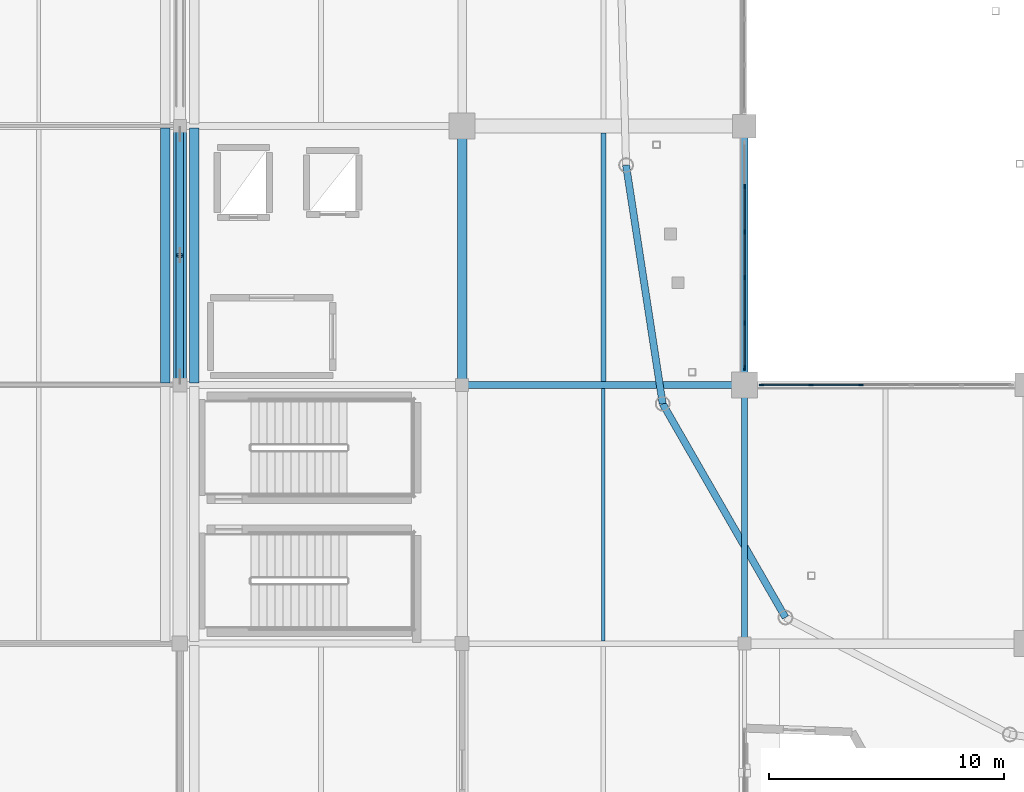
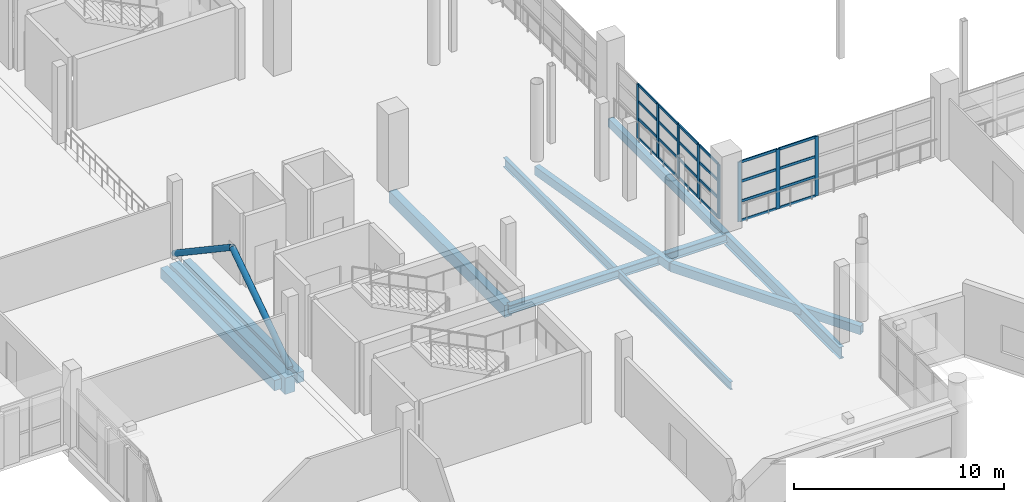
# One storey, part 28 of 118: 34 members, 11 beams, 2 elements without a shape of their own.
"""IFC4 building model written with IfcOpenShell, lengths in metres."""

from ifc_helpers import new_model, si_unit, direction, frame, origin, origin_2d, place, context, subcontext, project, spatial, rectangle, hollow_rectangle, hollow_circle, i_section, extrude, material, material_profile, profile_set, type_object, element, aggregate, save


model = new_model("IFC4")

# Units and contexts
model_context = context("Model", 3, precision=1e-05, world=origin(), true_north=direction((0.0, 1.0)))
body_context = subcontext(model_context, "Body", "Model", "MODEL_VIEW")
ifc_project = project(units=[si_unit("LENGTHUNIT", "METRE"), si_unit("AREAUNIT", "SQUARE_METRE"), si_unit("VOLUMEUNIT", "CUBIC_METRE"), si_unit("PLANEANGLEUNIT", "RADIAN"), si_unit("MASSUNIT", "GRAM", prefix="KILO")], contexts=[model_context])

# Site, building, storey
site_placement = place(None, origin())
site = spatial("IfcSite", under=ifc_project, at=site_placement, CompositionType="ELEMENT")
building_placement = place(site_placement, origin())
building = spatial("IfcBuilding", under=site, at=building_placement, Name="Luwafu Chhajja Arena", CompositionType="ELEMENT")
storey_placement = place(building_placement, frame((0.0, 0.0, 10.199951171875)))
storey = spatial("IfcBuildingStorey", under=building, at=storey_placement, Name="L02", CompositionType="ELEMENT", Elevation=10.199951171875)

# Curtain wall, members
ifc_material_1 = material(Name="Anodised bronze aluminium", Category="aluminium")
curtain_wall_type = type_object("IfcCurtainWallType", Name="Hospitality Ring Curtain Wall", PredefinedType="USERDEFINED", material=ifc_material_1)
curtain_wall_1_placement = place(storey_placement, origin())
curtain_wall_1 = element("IfcCurtainWall", 1, at=curtain_wall_1_placement, inside=storey, type_object=curtain_wall_type, Name="L02 Bowl Viewing Curtain Wall CWR-L02-01", ObjectType="CURTAIN WALL", PredefinedType="USERDEFINED")
ifc_material_profile_1 = material_profile(ifc_material_1, rectangle(XDim=0.06494140625, YDim=0.199951171875, at=origin_2d()), Name="CWM 65x200")
ifc_profile_set_1 = profile_set([ifc_material_profile_1], Name="Anodised bronze aluminium")
member_type_1 = type_object("IfcMemberType", Name="Bronze Curtain Wall Mullion 65x200", PredefinedType="MULLION", material=ifc_profile_set_1)
member_1_placement = place(storey_placement, frame((58.722412109375, 22.0, 0.0), z_axis=(0.0, 0.0, 1.0), x_axis=(0.0, 1.0, 0.0)))
member_1 = element("IfcMember", 2, at=member_1_placement, type_object=member_type_1, Name="CW-02 mullion 1", PredefinedType="MULLION", context=body_context, shape_type="SweptSolid", body=[
    extrude(rectangle(XDim=0.06494140625, YDim=0.199951171875, at=origin_2d()), origin(), (0.0, 0.0, 1.0), 3.469970703125),
])
member_2_placement = place(storey_placement, frame((60.823974609375, 22.0, 0.0), z_axis=(0.0, 0.0, 1.0), x_axis=(0.0, 1.0, 0.0)))
member_2 = element("IfcMember", 3, at=member_2_placement, type_object=member_type_1, Name="CW-02 mullion 2", PredefinedType="MULLION", context=body_context, shape_type="SweptSolid", body=[
    extrude(rectangle(XDim=0.06494140625, YDim=0.199951171875, at=origin_2d()), origin(), (0.0, 0.0, 1.0), 3.469970703125),
])
member_3_placement = place(storey_placement, frame((62.9580078125, 22.0, 0.0), z_axis=(0.0, 0.0, 1.0), x_axis=(0.0, 1.0, 0.0)))
member_3 = element("IfcMember", 4, at=member_3_placement, type_object=member_type_1, Name="CW-02 mullion 3", PredefinedType="MULLION", context=body_context, shape_type="SweptSolid", body=[
    extrude(rectangle(XDim=0.06494140625, YDim=0.199951171875, at=origin_2d()), origin(), (0.0, 0.0, 1.0), 3.469970703125),
])

curtain_wall_2_placement = place(storey_placement, origin())
curtain_wall_2 = element("IfcCurtainWall", 5, at=curtain_wall_2_placement, inside=storey, type_object=curtain_wall_type, Name="L02 Bowl Viewing Curtain Wall CWR-L02-15", ObjectType="CURTAIN WALL", PredefinedType="USERDEFINED")
member_4_placement = place(storey_placement, frame((58.0, 22.722412109375, 0.0), z_axis=(0.0, 0.0, 1.0), x_axis=(-1.0, 0.0, 0.0)))
member_4 = element("IfcMember", 6, at=member_4_placement, type_object=member_type_1, Name="CW-02 mullion 1", PredefinedType="MULLION", context=body_context, shape_type="SweptSolid", body=[
    extrude(rectangle(XDim=0.06494140625, YDim=0.199951171875, at=origin_2d()), origin(), (0.0, 0.0, 1.0), 3.14013671875),
])
member_5_placement = place(storey_placement, frame((58.0, 24.6240234375, 0.0), z_axis=(0.0, 0.0, 1.0), x_axis=(-1.0, 0.0, 0.0)))
member_5 = element("IfcMember", 7, at=member_5_placement, type_object=member_type_1, Name="CW-02 mullion 2", PredefinedType="MULLION", context=body_context, shape_type="SweptSolid", body=[
    extrude(rectangle(XDim=0.06494140625, YDim=0.199951171875, at=origin_2d()), origin(), (0.0, 0.0, 1.0), 3.14013671875),
])
member_6_placement = place(storey_placement, frame((58.0, 26.55810546875, 0.0), z_axis=(0.0, 0.0, 1.0), x_axis=(-1.0, 0.0, 0.0)))
member_6 = element("IfcMember", 8, at=member_6_placement, type_object=member_type_1, Name="CW-02 mullion 3", PredefinedType="MULLION", context=body_context, shape_type="SweptSolid", body=[
    extrude(rectangle(XDim=0.06494140625, YDim=0.199951171875, at=origin_2d()), origin(), (0.0, 0.0, 1.0), 3.14013671875),
])
member_7_placement = place(storey_placement, frame((58.0, 28.491943359375, 0.0), z_axis=(0.0, 0.0, 1.0), x_axis=(-1.0, 0.0, 0.0)))
member_7 = element("IfcMember", 9, at=member_7_placement, type_object=member_type_1, Name="CW-02 mullion 4", PredefinedType="MULLION", context=body_context, shape_type="SweptSolid", body=[
    extrude(rectangle(XDim=0.06494140625, YDim=0.199951171875, at=origin_2d()), origin(), (0.0, 0.0, 1.0), 3.14013671875),
])
member_8_placement = place(storey_placement, frame((58.0, 30.426025390625, 0.0), z_axis=(0.0, 0.0, 1.0), x_axis=(-1.0, 0.0, 0.0)))
member_8 = element("IfcMember", 10, at=member_8_placement, type_object=member_type_1, Name="CW-02 mullion 5", PredefinedType="MULLION", context=body_context, shape_type="SweptSolid", body=[
    extrude(rectangle(XDim=0.06494140625, YDim=0.199951171875, at=origin_2d()), origin(), (0.0, 0.0, 1.0), 3.14013671875),
])

# Member
ifc_material_profile_2 = material_profile(ifc_material_1, rectangle(XDim=0.06494140625, YDim=0.14990234375, at=origin_2d()), Name="CWT 65x150")
ifc_profile_set_2 = profile_set([ifc_material_profile_2], Name="Anodised bronze aluminium")
member_type_2 = type_object("IfcMemberType", Name="Bronze Curtain Wall Transom 65x150", PredefinedType="USERDEFINED", material=ifc_profile_set_2)
member_9_placement = place(storey_placement, frame((58.7548828125, 22.0, 0.032470703125), z_axis=(1.0, 0.0, 0.0), x_axis=(0.0, 1.0, 0.0)))
member_9 = element("IfcMember", 11, at=member_9_placement, type_object=member_type_2, Name="CW-02 transom 1.1", ObjectType="TRANSOM", PredefinedType="USERDEFINED", context=body_context, shape_type="SweptSolid", body=[
    extrude(rectangle(XDim=0.06494140625, YDim=0.14990234375, at=origin_2d()), origin(), (0.0, 0.0, 1.0), 2.03662109375),
])

member_10_placement = place(storey_placement, frame((58.7548828125, 22.0, 1.150146484375), z_axis=(1.0, 0.0, 0.0), x_axis=(0.0, 1.0, 0.0)))
member_10 = element("IfcMember", 12, at=member_10_placement, type_object=member_type_2, Name="CW-02 transom 1.2", ObjectType="TRANSOM", PredefinedType="USERDEFINED", context=body_context, shape_type="SweptSolid", body=[
    extrude(rectangle(XDim=0.06494140625, YDim=0.14990234375, at=origin_2d()), origin(), (0.0, 0.0, 1.0), 2.03662109375),
])

member_11_placement = place(storey_placement, frame((58.7548828125, 22.0, 2.31005859375), z_axis=(1.0, 0.0, 0.0), x_axis=(0.0, 1.0, 0.0)))
member_11 = element("IfcMember", 13, at=member_11_placement, type_object=member_type_2, Name="CW-02 transom 1.3", ObjectType="TRANSOM", PredefinedType="USERDEFINED", context=body_context, shape_type="SweptSolid", body=[
    extrude(rectangle(XDim=0.06494140625, YDim=0.14990234375, at=origin_2d()), origin(), (0.0, 0.0, 1.0), 2.03662109375),
])

member_12_placement = place(storey_placement, frame((58.7548828125, 22.0, 3.437255859375), z_axis=(1.0, 0.0, 0.0), x_axis=(0.0, 1.0, 0.0)))
member_12 = element("IfcMember", 14, at=member_12_placement, type_object=member_type_2, Name="CW-02 transom 1.4", ObjectType="TRANSOM", PredefinedType="USERDEFINED", context=body_context, shape_type="SweptSolid", body=[
    extrude(rectangle(XDim=0.06494140625, YDim=0.14990234375, at=origin_2d()), origin(), (0.0, 0.0, 1.0), 2.03662109375),
])

member_13_placement = place(storey_placement, frame((60.8564453125, 22.0, 0.032470703125), z_axis=(1.0, 0.0, 0.0), x_axis=(0.0, 1.0, 0.0)))
member_13 = element("IfcMember", 15, at=member_13_placement, type_object=member_type_2, Name="CW-02 transom 2.1", ObjectType="TRANSOM", PredefinedType="USERDEFINED", context=body_context, shape_type="SweptSolid", body=[
    extrude(rectangle(XDim=0.06494140625, YDim=0.14990234375, at=origin_2d()), origin(), (0.0, 0.0, 1.0), 2.069091796875),
])

member_14_placement = place(storey_placement, frame((60.8564453125, 22.0, 1.150146484375), z_axis=(1.0, 0.0, 0.0), x_axis=(0.0, 1.0, 0.0)))
member_14 = element("IfcMember", 16, at=member_14_placement, type_object=member_type_2, Name="CW-02 transom 2.2", ObjectType="TRANSOM", PredefinedType="USERDEFINED", context=body_context, shape_type="SweptSolid", body=[
    extrude(rectangle(XDim=0.06494140625, YDim=0.14990234375, at=origin_2d()), origin(), (0.0, 0.0, 1.0), 2.069091796875),
])

member_15_placement = place(storey_placement, frame((60.8564453125, 22.0, 2.31005859375), z_axis=(1.0, 0.0, 0.0), x_axis=(0.0, 1.0, 0.0)))
member_15 = element("IfcMember", 17, at=member_15_placement, type_object=member_type_2, Name="CW-02 transom 2.3", ObjectType="TRANSOM", PredefinedType="USERDEFINED", context=body_context, shape_type="SweptSolid", body=[
    extrude(rectangle(XDim=0.06494140625, YDim=0.14990234375, at=origin_2d()), origin(), (0.0, 0.0, 1.0), 2.069091796875),
])

member_16_placement = place(storey_placement, frame((60.8564453125, 22.0, 3.437255859375), z_axis=(1.0, 0.0, 0.0), x_axis=(0.0, 1.0, 0.0)))
member_16 = element("IfcMember", 18, at=member_16_placement, type_object=member_type_2, Name="CW-02 transom 2.4", ObjectType="TRANSOM", PredefinedType="USERDEFINED", context=body_context, shape_type="SweptSolid", body=[
    extrude(rectangle(XDim=0.06494140625, YDim=0.14990234375, at=origin_2d()), origin(), (0.0, 0.0, 1.0), 2.069091796875),
])

aggregate(curtain_wall_1, [member_1, member_2, member_3, member_9, member_10, member_11, member_12, member_13, member_14, member_15, member_16])

member_17_placement = place(storey_placement, frame((58.0, 22.7548828125, 0.032470703125), z_axis=(0.0, 1.0, 0.0), x_axis=(-1.0, 0.0, 0.0)))
member_17 = element("IfcMember", 19, at=member_17_placement, type_object=member_type_2, Name="CW-02 transom 1.1", ObjectType="TRANSOM", PredefinedType="USERDEFINED", context=body_context, shape_type="SweptSolid", body=[
    extrude(rectangle(XDim=0.06494140625, YDim=0.14990234375, at=origin_2d()), origin(), (0.0, 0.0, 1.0), 1.836669921875),
])

member_18_placement = place(storey_placement, frame((58.0, 22.7548828125, 1.150146484375), z_axis=(0.0, 1.0, 0.0), x_axis=(-1.0, 0.0, 0.0)))
member_18 = element("IfcMember", 20, at=member_18_placement, type_object=member_type_2, Name="CW-02 transom 1.2", ObjectType="TRANSOM", PredefinedType="USERDEFINED", context=body_context, shape_type="SweptSolid", body=[
    extrude(rectangle(XDim=0.06494140625, YDim=0.14990234375, at=origin_2d()), origin(), (0.0, 0.0, 1.0), 1.836669921875),
])

member_19_placement = place(storey_placement, frame((58.0, 22.7548828125, 2.14501953125), z_axis=(0.0, 1.0, 0.0), x_axis=(-1.0, 0.0, 0.0)))
member_19 = element("IfcMember", 21, at=member_19_placement, type_object=member_type_2, Name="CW-02 transom 1.3", ObjectType="TRANSOM", PredefinedType="USERDEFINED", context=body_context, shape_type="SweptSolid", body=[
    extrude(rectangle(XDim=0.06494140625, YDim=0.14990234375, at=origin_2d()), origin(), (0.0, 0.0, 1.0), 1.836669921875),
])

member_20_placement = place(storey_placement, frame((58.0, 22.7548828125, 3.107666015625), z_axis=(0.0, 1.0, 0.0), x_axis=(-1.0, 0.0, 0.0)))
member_20 = element("IfcMember", 22, at=member_20_placement, type_object=member_type_2, Name="CW-02 transom 1.4", ObjectType="TRANSOM", PredefinedType="USERDEFINED", context=body_context, shape_type="SweptSolid", body=[
    extrude(rectangle(XDim=0.06494140625, YDim=0.14990234375, at=origin_2d()), origin(), (0.0, 0.0, 1.0), 1.836669921875),
])

member_21_placement = place(storey_placement, frame((58.0, 24.656494140625, 0.032470703125), z_axis=(0.0, 1.0, 0.0), x_axis=(-1.0, 0.0, 0.0)))
member_21 = element("IfcMember", 23, at=member_21_placement, type_object=member_type_2, Name="CW-02 transom 2.1", ObjectType="TRANSOM", PredefinedType="USERDEFINED", context=body_context, shape_type="SweptSolid", body=[
    extrude(rectangle(XDim=0.06494140625, YDim=0.14990234375, at=origin_2d()), origin(), (0.0, 0.0, 1.0), 1.868896484375),
])

member_22_placement = place(storey_placement, frame((58.0, 24.656494140625, 1.150146484375), z_axis=(0.0, 1.0, 0.0), x_axis=(-1.0, 0.0, 0.0)))
member_22 = element("IfcMember", 24, at=member_22_placement, type_object=member_type_2, Name="CW-02 transom 2.2", ObjectType="TRANSOM", PredefinedType="USERDEFINED", context=body_context, shape_type="SweptSolid", body=[
    extrude(rectangle(XDim=0.06494140625, YDim=0.14990234375, at=origin_2d()), origin(), (0.0, 0.0, 1.0), 1.868896484375),
])

member_23_placement = place(storey_placement, frame((58.0, 24.656494140625, 2.14501953125), z_axis=(0.0, 1.0, 0.0), x_axis=(-1.0, 0.0, 0.0)))
member_23 = element("IfcMember", 25, at=member_23_placement, type_object=member_type_2, Name="CW-02 transom 2.3", ObjectType="TRANSOM", PredefinedType="USERDEFINED", context=body_context, shape_type="SweptSolid", body=[
    extrude(rectangle(XDim=0.06494140625, YDim=0.14990234375, at=origin_2d()), origin(), (0.0, 0.0, 1.0), 1.868896484375),
])

member_24_placement = place(storey_placement, frame((58.0, 24.656494140625, 3.107666015625), z_axis=(0.0, 1.0, 0.0), x_axis=(-1.0, 0.0, 0.0)))
member_24 = element("IfcMember", 26, at=member_24_placement, type_object=member_type_2, Name="CW-02 transom 2.4", ObjectType="TRANSOM", PredefinedType="USERDEFINED", context=body_context, shape_type="SweptSolid", body=[
    extrude(rectangle(XDim=0.06494140625, YDim=0.14990234375, at=origin_2d()), origin(), (0.0, 0.0, 1.0), 1.868896484375),
])

member_25_placement = place(storey_placement, frame((58.0, 26.590576171875, 0.032470703125), z_axis=(0.0, 1.0, 0.0), x_axis=(-1.0, 0.0, 0.0)))
member_25 = element("IfcMember", 27, at=member_25_placement, type_object=member_type_2, Name="CW-02 transom 3.1", ObjectType="TRANSOM", PredefinedType="USERDEFINED", context=body_context, shape_type="SweptSolid", body=[
    extrude(rectangle(XDim=0.06494140625, YDim=0.14990234375, at=origin_2d()), origin(), (0.0, 0.0, 1.0), 1.868896484375),
])

member_26_placement = place(storey_placement, frame((58.0, 26.590576171875, 1.150146484375), z_axis=(0.0, 1.0, 0.0), x_axis=(-1.0, 0.0, 0.0)))
member_26 = element("IfcMember", 28, at=member_26_placement, type_object=member_type_2, Name="CW-02 transom 3.2", ObjectType="TRANSOM", PredefinedType="USERDEFINED", context=body_context, shape_type="SweptSolid", body=[
    extrude(rectangle(XDim=0.06494140625, YDim=0.14990234375, at=origin_2d()), origin(), (0.0, 0.0, 1.0), 1.868896484375),
])

member_27_placement = place(storey_placement, frame((58.0, 26.590576171875, 2.14501953125), z_axis=(0.0, 1.0, 0.0), x_axis=(-1.0, 0.0, 0.0)))
member_27 = element("IfcMember", 29, at=member_27_placement, type_object=member_type_2, Name="CW-02 transom 3.3", ObjectType="TRANSOM", PredefinedType="USERDEFINED", context=body_context, shape_type="SweptSolid", body=[
    extrude(rectangle(XDim=0.06494140625, YDim=0.14990234375, at=origin_2d()), origin(), (0.0, 0.0, 1.0), 1.868896484375),
])

member_28_placement = place(storey_placement, frame((58.0, 26.590576171875, 3.107666015625), z_axis=(0.0, 1.0, 0.0), x_axis=(-1.0, 0.0, 0.0)))
member_28 = element("IfcMember", 30, at=member_28_placement, type_object=member_type_2, Name="CW-02 transom 3.4", ObjectType="TRANSOM", PredefinedType="USERDEFINED", context=body_context, shape_type="SweptSolid", body=[
    extrude(rectangle(XDim=0.06494140625, YDim=0.14990234375, at=origin_2d()), origin(), (0.0, 0.0, 1.0), 1.868896484375),
])

member_29_placement = place(storey_placement, frame((58.0, 28.5244140625, 0.032470703125), z_axis=(0.0, 1.0, 0.0), x_axis=(-1.0, 0.0, 0.0)))
member_29 = element("IfcMember", 31, at=member_29_placement, type_object=member_type_2, Name="CW-02 transom 4.1", ObjectType="TRANSOM", PredefinedType="USERDEFINED", context=body_context, shape_type="SweptSolid", body=[
    extrude(rectangle(XDim=0.06494140625, YDim=0.14990234375, at=origin_2d()), origin(), (0.0, 0.0, 1.0), 1.869140625),
])

member_30_placement = place(storey_placement, frame((58.0, 28.5244140625, 1.150146484375), z_axis=(0.0, 1.0, 0.0), x_axis=(-1.0, 0.0, 0.0)))
member_30 = element("IfcMember", 32, at=member_30_placement, type_object=member_type_2, Name="CW-02 transom 4.2", ObjectType="TRANSOM", PredefinedType="USERDEFINED", context=body_context, shape_type="SweptSolid", body=[
    extrude(rectangle(XDim=0.06494140625, YDim=0.14990234375, at=origin_2d()), origin(), (0.0, 0.0, 1.0), 1.869140625),
])

member_31_placement = place(storey_placement, frame((58.0, 28.5244140625, 2.14501953125), z_axis=(0.0, 1.0, 0.0), x_axis=(-1.0, 0.0, 0.0)))
member_31 = element("IfcMember", 33, at=member_31_placement, type_object=member_type_2, Name="CW-02 transom 4.3", ObjectType="TRANSOM", PredefinedType="USERDEFINED", context=body_context, shape_type="SweptSolid", body=[
    extrude(rectangle(XDim=0.06494140625, YDim=0.14990234375, at=origin_2d()), origin(), (0.0, 0.0, 1.0), 1.869140625),
])

member_32_placement = place(storey_placement, frame((58.0, 28.5244140625, 3.107666015625), z_axis=(0.0, 1.0, 0.0), x_axis=(-1.0, 0.0, 0.0)))
member_32 = element("IfcMember", 34, at=member_32_placement, type_object=member_type_2, Name="CW-02 transom 4.4", ObjectType="TRANSOM", PredefinedType="USERDEFINED", context=body_context, shape_type="SweptSolid", body=[
    extrude(rectangle(XDim=0.06494140625, YDim=0.14990234375, at=origin_2d()), origin(), (0.0, 0.0, 1.0), 1.869140625),
])

aggregate(curtain_wall_2, [member_4, member_5, member_6, member_7, member_8, member_17, member_18, member_19, member_20, member_21, member_22, member_23, member_24, member_25, member_26, member_27, member_28, member_29, member_30, member_31, member_32])

# Beam
ifc_material_2 = material(Name="Concrete C35/45", Category="concrete")
ifc_material_profile_3 = material_profile(ifc_material_2, rectangle(XDim=0.550048828125, YDim=0.949951171875, at=origin_2d()), Name="RC 550x950")
ifc_profile_set_3 = profile_set([ifc_material_profile_3], Name="Concrete C35/45")
beam_type_1 = type_object("IfcBeamType", Name="Concourse Radial Girder RC 550x950", PredefinedType="BEAM", material=ifc_profile_set_3)
beam_1_placement = place(storey_placement, frame((34.0, 22.0, -0.864990234375), z_axis=(0.0, 1.0, 0.0), x_axis=(-1.0, 0.0, 0.0)))
element("IfcBeam", 35, at=beam_1_placement, inside=storey, type_object=beam_type_1, Name="L02 Grid Beam 4/C-D", PredefinedType="BEAM", context=body_context, shape_type="SweptSolid", body=[
    extrude(rectangle(XDim=0.550048828125, YDim=0.949951171875, at=origin_2d()), origin(), (0.0, 0.0, 1.0), 11.0),
])

# Members
ifc_material_3 = material(Name="Steel S355", Category="steel")
ifc_material_profile_4 = material_profile(ifc_material_3, hollow_circle(Radius=0.161865234375, WallThickness=0.012451171875, at=origin_2d()), Name="CHS 323.9x12.5")
ifc_profile_set_4 = profile_set([ifc_material_profile_4], Name="Steel S355")
member_type_3 = type_object("IfcMemberType", Name="Drum Lateral Chevron Brace CHS 324", PredefinedType="BRACE", material=ifc_profile_set_4)
for number, where, z_axis, x_axis, name in (
    (36, (34.0, 22.0, 0.1201171875), (0.0, 0.830424814031, 0.557130710195), (-1.0, 0.0, 0.0), "L02 Lateral Chevron Brace 04A"),
    (37, (34.0, 33.0, 0.1201171875), (0.0, -0.830424814031, 0.557130710195), (1.0, 0.0, 0.0), "L02 Lateral Chevron Brace 04B"),
):
    element("IfcMember", number, at=place(storey_placement, frame(where, z_axis=z_axis, x_axis=x_axis)), inside=storey, type_object=member_type_3, Name=name, PredefinedType="BRACE", context=body_context, shape_type="SweptSolid", body=[
        extrude(hollow_circle(Radius=0.161865234375, WallThickness=0.012451171875, at=origin_2d()), origin(), (0.0, 0.0, 1.0), 6.623046875),
    ])

# Beams
ifc_material_profile_5 = material_profile(ifc_material_3, i_section(OverallWidth=0.15283203125, OverallDepth=0.45458984375, WebThickness=0.008056640625, FlangeThickness=0.01318359375, at=origin_2d()), Name="UB 457x152x60")
ifc_profile_set_5 = profile_set([ifc_material_profile_5], Name="Steel S355")
beam_type_2 = type_object("IfcBeamType", Name="Floor Joist UB 457x152x60", PredefinedType="JOIST", material=ifc_profile_set_5)
beam_2_placement = place(storey_placement, frame((52.0, 11.114501953125, -0.6171875), z_axis=(0.0, 1.0, 0.0), x_axis=(-1.0, 0.0, 0.0)))
element("IfcBeam", 38, at=beam_2_placement, inside=storey, type_object=beam_type_2, Name="L02 Secondary Joist 5-6/B", PredefinedType="JOIST", context=body_context, shape_type="SweptSolid", body=[
    extrude(i_section(OverallWidth=0.15283203125, OverallDepth=0.45458984375, WebThickness=0.008056640625, FlangeThickness=0.01318359375, at=origin_2d()), origin(), (0.0, 0.0, 1.0), 10.735595703125),
])
ifc_material_profile_6 = material_profile(ifc_material_3, i_section(OverallWidth=0.2099609375, OverallDepth=0.53662109375, WebThickness=0.0107421875, FlangeThickness=0.017333984375, at=origin_2d()), Name="UB 533x210x101")
ifc_profile_set_6 = profile_set([ifc_material_profile_6], Name="Steel S355")
beam_type_3 = type_object("IfcBeamType", Name="Floor Joist UB 533x210x101", PredefinedType="JOIST", material=ifc_profile_set_6)
beam_3_placement = place(storey_placement, frame((52.0, 22.14990234375, -0.658203125), z_axis=(0.0, 1.0, 0.0), x_axis=(-1.0, 0.0, 0.0)))
element("IfcBeam", 39, at=beam_3_placement, inside=storey, type_object=beam_type_3, Name="L02 Secondary Joist 5-6/C", PredefinedType="JOIST", context=body_context, shape_type="SweptSolid", body=[
    extrude(i_section(OverallWidth=0.2099609375, OverallDepth=0.53662109375, WebThickness=0.0107421875, FlangeThickness=0.017333984375, at=origin_2d()), origin(), (0.0, 0.0, 1.0), 10.550048828125),
])
ifc_material_profile_7 = material_profile(ifc_material_3, hollow_rectangle(XDim=0.300048828125, YDim=0.5, WallThickness=0.02001953125, at=origin_2d()), Name="RHS 500x300x20")
ifc_profile_set_7 = profile_set([ifc_material_profile_7], Name="Steel S355")
beam_type_4 = type_object("IfcBeamType", Name="Pleated Drum Spandrel Beam RHS 500x300", PredefinedType="SPANDREL", material=ifc_profile_set_7)
beam_4_placement = place(storey_placement, frame((58.0, 22.0, -0.639892578125), z_axis=(0.0, 1.0, 0.0), x_axis=(-1.0, 0.0, 0.0)))
element("IfcBeam", 40, at=beam_4_placement, inside=storey, type_object=beam_type_4, Name="L02 Grid Beam 6/C-D", PredefinedType="SPANDREL", context=body_context, shape_type="SweptSolid", body=[
    extrude(hollow_rectangle(XDim=0.300048828125, YDim=0.5, WallThickness=0.02001953125, at=origin_2d()), origin(), (0.0, 0.0, 1.0), 11.0),
])
beam_5_placement = place(storey_placement, frame((52.968017578125, 31.3388671875, -0.639892578125), z_axis=(0.1515977802, -0.988442265911, 0.0), x_axis=(0.988442265911, 0.1515977802, 0.0)))
element("IfcBeam", 41, at=beam_5_placement, inside=storey, type_object=beam_type_4, Name="L02 Drum Ring Spandrel D19-D20", PredefinedType="SPANDREL", context=body_context, shape_type="SweptSolid", body=[
    extrude(hollow_rectangle(XDim=0.300048828125, YDim=0.5, WallThickness=0.02001953125, at=origin_2d()), origin(), (0.0, 0.0, 1.0), 10.263427734375),
])
beam_6_placement = place(storey_placement, frame((54.52392578125, 21.194091796875, -0.639892578125), z_axis=(0.498192671921, -0.867066353657, 0.0), x_axis=(0.867066353657, 0.498192671921, 0.0)))
element("IfcBeam", 42, at=beam_6_placement, inside=storey, type_object=beam_type_4, Name="L02 Drum Ring Spandrel D20-D21", PredefinedType="SPANDREL", context=body_context, shape_type="SweptSolid", body=[
    extrude(hollow_rectangle(XDim=0.300048828125, YDim=0.5, WallThickness=0.02001953125, at=origin_2d()), origin(), (0.0, 0.0, 1.0), 10.477783203125),
])
ifc_material_profile_8 = material_profile(ifc_material_2, rectangle(XDim=0.39990234375, YDim=0.60009765625, at=origin_2d()), Name="RC 400x600")
ifc_profile_set_8 = profile_set([ifc_material_profile_8], Name="Concrete C35/45")
beam_type_5 = type_object("IfcBeamType", Name="Podium Perimeter Spandrel RC 400x600", PredefinedType="SPANDREL", material=ifc_profile_set_8)
for number, where, z_axis, x_axis, name in (
    (43, (33.3798828125, 22.080078125, -0.68994140625), (0.0, 1.0, 0.0), (-1.0, 0.0, 0.0), "L02 Movement Joint MJ1W Seat Girder 02"),
    (44, (34.6201171875, 22.080078125, -0.68994140625), (0.0, 1.0, 0.0), (-1.0, 0.0, 0.0), "L02 Movement Joint MJ1E Seat Girder 02"),
):
    element("IfcBeam", number, at=place(storey_placement, frame(where, z_axis=z_axis, x_axis=x_axis)), inside=storey, type_object=beam_type_5, Name=name, PredefinedType="SPANDREL", context=body_context, shape_type="SweptSolid", body=[
        extrude(rectangle(XDim=0.39990234375, YDim=0.60009765625, at=origin_2d()), origin(), (0.0, 0.0, 1.0), 10.83984375),
    ])
ifc_material_profile_9 = material_profile(ifc_material_3, i_section(OverallWidth=0.300048828125, OverallDepth=0.5, WebThickness=0.014404296875, FlangeThickness=0.028076171875, at=origin_2d()), Name="HEB 500")
ifc_profile_set_9 = profile_set([ifc_material_profile_9], Name="Steel S355")
beam_type_6 = type_object("IfcBeamType", Name="Steel Atrium Tie Girder HEB 500", PredefinedType="BEAM", material=ifc_profile_set_9)
beam_7_placement = place(storey_placement, frame((46.0, 22.0, -0.639892578125), z_axis=(1.0, 0.0, 0.0), x_axis=(0.0, 1.0, 0.0)))
element("IfcBeam", 45, at=beam_7_placement, inside=storey, type_object=beam_type_6, Name="L02 Grid Beam 5-6/C", PredefinedType="BEAM", context=body_context, shape_type="SweptSolid", body=[
    extrude(i_section(OverallWidth=0.300048828125, OverallDepth=0.5, WebThickness=0.014404296875, FlangeThickness=0.028076171875, at=origin_2d()), origin(), (0.0, 0.0, 1.0), 12.0),
])
ifc_material_profile_10 = material_profile(ifc_material_3, i_section(OverallWidth=0.253662109375, OverallDepth=0.68359375, WebThickness=0.012451171875, FlangeThickness=0.01904296875, at=origin_2d()), Name="UB 686x254x140")
ifc_profile_set_10 = profile_set([ifc_material_profile_10], Name="Steel S355")
beam_type_7 = type_object("IfcBeamType", Name="Steel Concourse Girder UB 686x254x140", PredefinedType="BEAM", material=ifc_profile_set_10)
beam_8_placement = place(storey_placement, frame((58.0, 11.0, -0.731689453125), z_axis=(0.0, 1.0, 0.0), x_axis=(-1.0, 0.0, 0.0)))
element("IfcBeam", 46, at=beam_8_placement, inside=storey, type_object=beam_type_7, Name="L02 Grid Beam 6/B-C", PredefinedType="BEAM", context=body_context, shape_type="SweptSolid", body=[
    extrude(i_section(OverallWidth=0.253662109375, OverallDepth=0.68359375, WebThickness=0.012451171875, FlangeThickness=0.01904296875, at=origin_2d()), origin(), (0.0, 0.0, 1.0), 11.0),
])
ifc_material_profile_11 = material_profile(ifc_material_2, rectangle(XDim=0.39990234375, YDim=0.699951171875, at=origin_2d()), Name="RC 400x700")
ifc_profile_set_11 = profile_set([ifc_material_profile_11], Name="Concrete C35/45")
beam_type_8 = type_object("IfcBeamType", Name="Wing Frame Beam RC 400x700", PredefinedType="BEAM", material=ifc_profile_set_11)
beam_9_placement = place(storey_placement, frame((46.0, 22.0, -0.739990234375), z_axis=(0.0, 1.0, 0.0), x_axis=(-1.0, 0.0, 0.0)))
element("IfcBeam", 47, at=beam_9_placement, inside=storey, type_object=beam_type_8, Name="L02 Grid Beam 5/C-D", PredefinedType="BEAM", context=body_context, shape_type="SweptSolid", body=[
    extrude(rectangle(XDim=0.39990234375, YDim=0.699951171875, at=origin_2d()), origin(), (0.0, 0.0, 1.0), 11.0),
])

save(model, "model.ifc")
